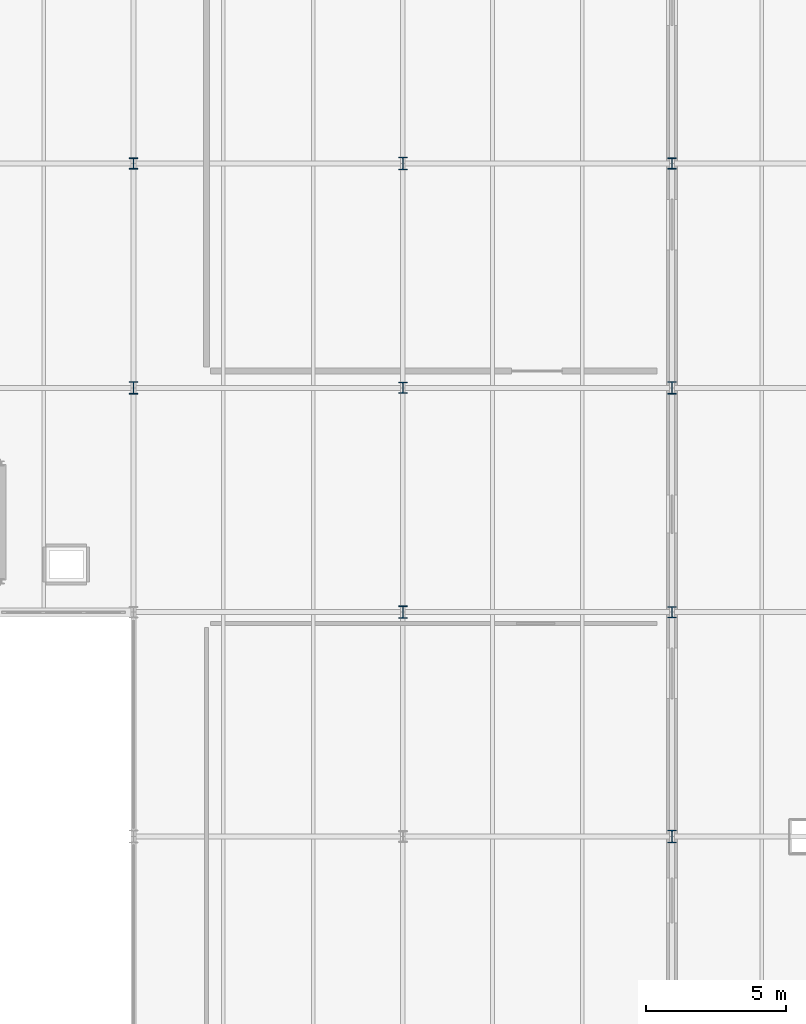
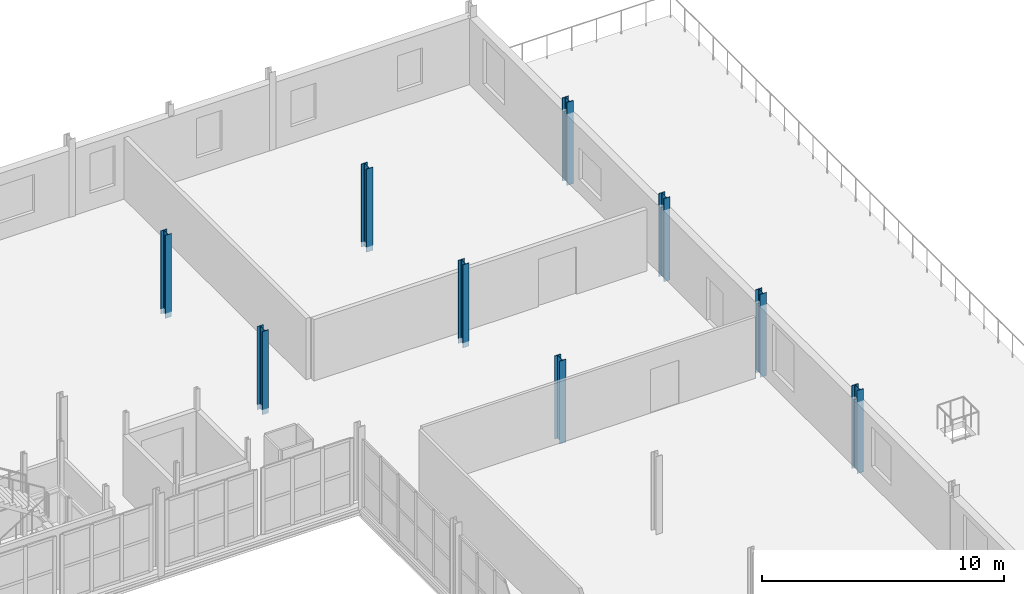
# One storey, part 22 of 85: 9 columns.
"""IFC4 building model written with IfcOpenShell, lengths in metres."""

from ifc_helpers import new_model, si_unit, direction, frame, origin, origin_2d, place, context, subcontext, project, spatial, i_section, extrude, material, material_profile, profile_set, type_object, element, save


model = new_model("IFC4")

# Units and contexts
model_context = context("Model", 3, precision=1e-05, world=origin(), true_north=direction((0.0, 1.0)))
body_context = subcontext(model_context, "Body", "Model", "MODEL_VIEW")
ifc_project = project(units=[si_unit("LENGTHUNIT", "METRE"), si_unit("AREAUNIT", "SQUARE_METRE"), si_unit("VOLUMEUNIT", "CUBIC_METRE"), si_unit("PLANEANGLEUNIT", "RADIAN"), si_unit("MASSUNIT", "GRAM", prefix="KILO")], contexts=[model_context])

# Site, building, storey
site_placement = place(None, origin())
site = spatial("IfcSite", under=ifc_project, at=site_placement, CompositionType="ELEMENT")
building_placement = place(site_placement, origin())
building = spatial("IfcBuilding", under=site, at=building_placement, Name="Alderhovde Museum", CompositionType="ELEMENT")
storey_placement = place(building_placement, frame((0.0, 0.0, 8.699951171875)))
storey = spatial("IfcBuildingStorey", under=building, at=storey_placement, Name="L02", CompositionType="ELEMENT", Elevation=8.699951171875)

# Columns
ifc_material_1 = material(Name="Steel S355J2", Category="steel")
ifc_material_profile_1 = material_profile(ifc_material_1, i_section(OverallWidth=0.300048828125, OverallDepth=0.39990234375, WebThickness=0.013427734375, FlangeThickness=0.02392578125, FilletRadius=0.027099609375, at=origin_2d()), Name="HEB 400")
ifc_profile_set_1 = profile_set([ifc_material_profile_1], Name="Steel S355J2")
column_type_1 = type_object("IfcColumnType", Name="COL-HEB400", PredefinedType="COLUMN", material=ifc_profile_set_1)
for number, where, z_axis, x_axis, name in (
    (1, (144.0, 88.0, -0.260009765625), (0.0, 0.0, 1.0), (1.0, 0.0, 0.0), "L02 Column (144.0, 88.0)"),
    (2, (153.60009765625, 80.0, -0.260009765625), (0.0, 0.0, 1.0), (1.0, 0.0, 0.0), "L02 Column (153.6, 80.0)"),
    (3, (163.199951171875, 72.0, -0.260009765625), (0.0, 0.0, 1.0), (1.0, 0.0, 0.0), "L02 Column (163.2, 72.0)"),
    (4, (163.199951171875, 88.0, -0.260009765625), (0.0, 0.0, 1.0), (1.0, 0.0, 0.0), "L02 Column (163.2, 88.0)"),
):
    element("IfcColumn", number, at=place(storey_placement, frame(where, z_axis=z_axis, x_axis=x_axis)), inside=storey, type_object=column_type_1, Name=name, PredefinedType="COLUMN", context=body_context, shape_type="SweptSolid", body=[
        extrude(i_section(OverallWidth=0.300048828125, OverallDepth=0.39990234375, WebThickness=0.013427734375, FlangeThickness=0.02392578125, FilletRadius=0.027099609375, at=origin_2d()), origin(), (0.0, 0.0, 1.0), 4.199951171875),
    ])
ifc_material_2 = material(Name="Steel S355J2", Category="steel")
ifc_material_profile_2 = material_profile(ifc_material_2, i_section(OverallWidth=0.300048828125, OverallDepth=0.449951171875, WebThickness=0.013916015625, FlangeThickness=0.02587890625, FilletRadius=0.027099609375, at=origin_2d()), Name="HEB 450")
ifc_profile_set_2 = profile_set([ifc_material_profile_2], Name="Steel S355J2")
column_type_2 = type_object("IfcColumnType", Name="COL-HEB450", PredefinedType="COLUMN", material=ifc_profile_set_2)
for number, where, z_axis, x_axis, name in (
    (5, (144.0, 80.0, -0.260009765625), (0.0, 0.0, 1.0), (1.0, 0.0, 0.0), "L02 Column (144.0, 80.0)"),
    (6, (153.60009765625, 72.0, -0.260009765625), (0.0, 0.0, 1.0), (1.0, 0.0, 0.0), "L02 Column (153.6, 72.0)"),
    (7, (153.60009765625, 88.0, -0.260009765625), (0.0, 0.0, 1.0), (1.0, 0.0, 0.0), "L02 Column (153.6, 88.0)"),
    (8, (163.199951171875, 64.0, -0.260009765625), (0.0, 0.0, 1.0), (1.0, 0.0, 0.0), "L02 Column (163.2, 64.0)"),
    (9, (163.199951171875, 80.0, -0.260009765625), (0.0, 0.0, 1.0), (1.0, 0.0, 0.0), "L02 Column (163.2, 80.0)"),
):
    element("IfcColumn", number, at=place(storey_placement, frame(where, z_axis=z_axis, x_axis=x_axis)), inside=storey, type_object=column_type_2, Name=name, PredefinedType="COLUMN", context=body_context, shape_type="SweptSolid", body=[
        extrude(i_section(OverallWidth=0.300048828125, OverallDepth=0.449951171875, WebThickness=0.013916015625, FlangeThickness=0.02587890625, FilletRadius=0.027099609375, at=origin_2d()), origin(), (0.0, 0.0, 1.0), 4.199951171875),
    ])

save(model, "model.ifc")
